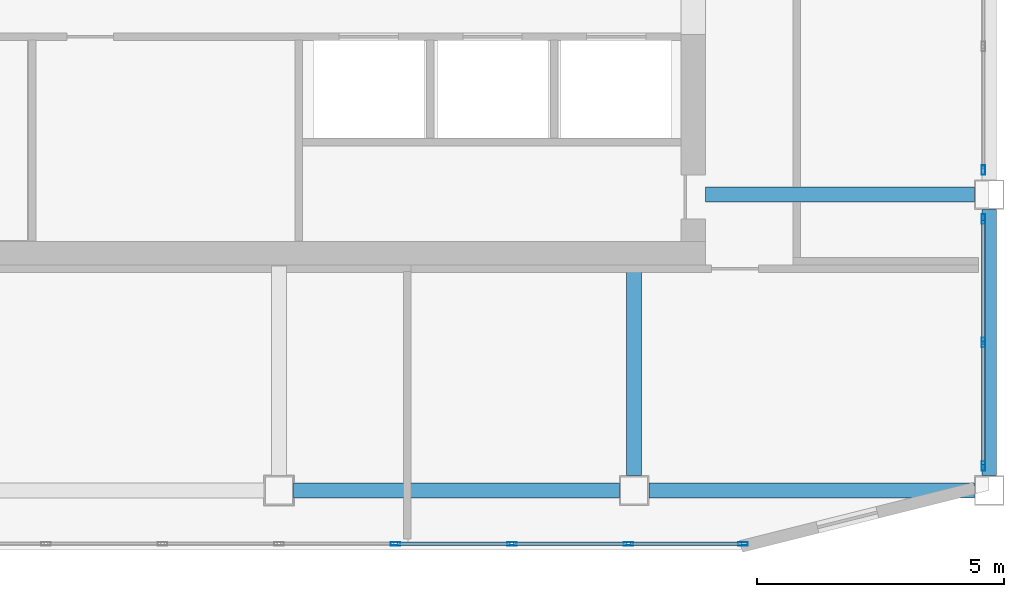
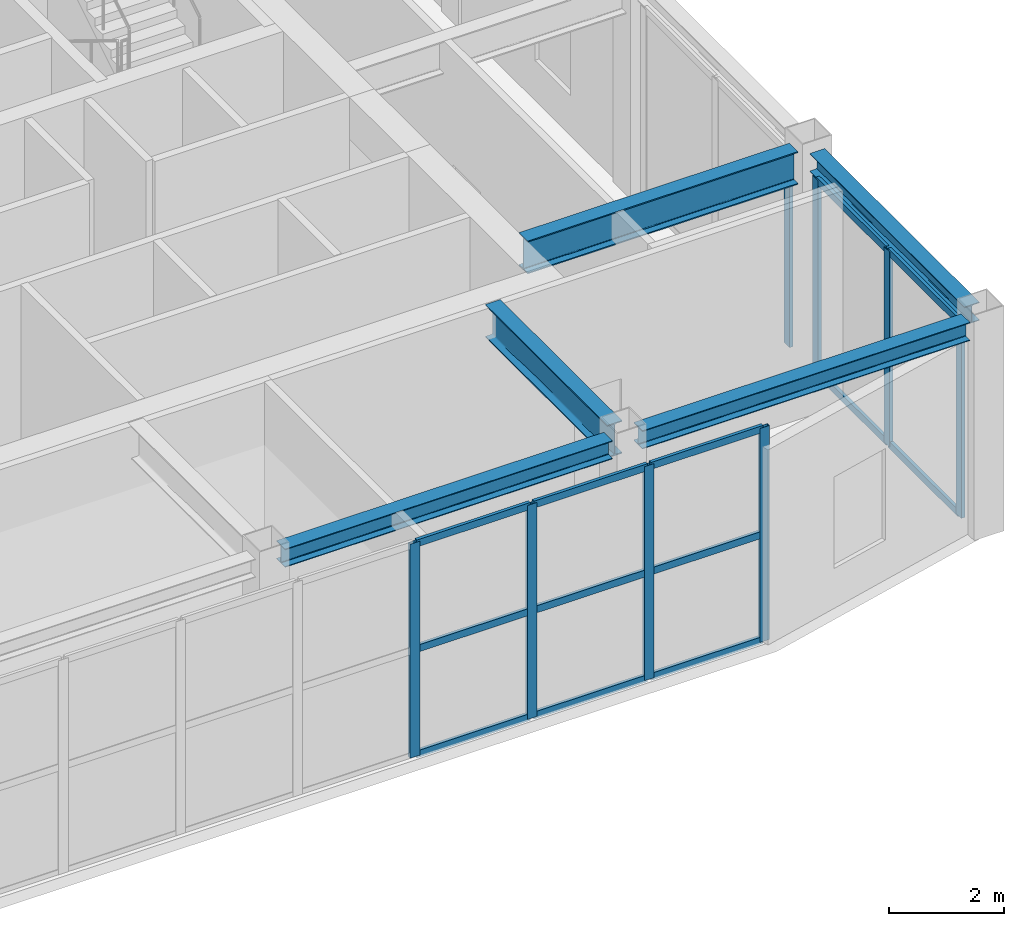
# One storey, part 4 of 11: 21 members, 5 beams, 3 elements without a shape of their own.
"""IFC4 building model written with IfcOpenShell, lengths in metres."""

import ifcopenshell
import ifcopenshell.guid

model = None  # the IFC model being written
_history = None  # IfcOwnerHistory: only IFC2X3 demands one
_inside = {}  # id of a spatial element -> (the spatial element, [elements in it])
_under = {}  # id of a project, library or spatial element -> (it, [spatial elements below it])
_declared = {}  # id of a project -> (the project, [libraries it declares])
_typed = {}  # id of a type object -> (the type object, [elements of that type])
_made_of = {}  # id of a material, layer set ... -> (it, [elements and type objects made of it])


def new_model(schema):
    """Start an empty IFC model of exactly this schema.

    Asked for "IFC4X3", IfcOpenShell would pick the latest addendum, in which some entities
    have other attributes; the version numbers below select the first issue.
    IFC2X3 requires an IfcOwnerHistory on every rooted entity: one is made here for all.
    """
    global model, _history
    if schema == "IFC4X3":
        model = ifcopenshell.file(schema_version=(4, 3, 0, 0))
    else:
        model = ifcopenshell.file(schema=schema)
    _inside.clear()
    _under.clear()
    _declared.clear()
    _typed.clear()
    _made_of.clear()
    _history = None
    if model.schema == "IFC2X3":
        org = make("IfcOrganization", Name="unknown")
        user = make(
            "IfcPersonAndOrganization",
            ThePerson=make("IfcPerson", FamilyName="unknown"),
            TheOrganization=org,
        )
        app = make(
            "IfcApplication",
            ApplicationDeveloper=org,
            Version="unknown",
            ApplicationFullName="unknown",
            ApplicationIdentifier="unknown",
        )
        _history = make(
            "IfcOwnerHistory",
            OwningUser=user,
            OwningApplication=app,
            ChangeAction="ADDED",
            CreationDate=0,
        )
    return model


def make(cls, **values):
    """One entity of the class cls with the attributes given. An attribute that is None is left unset."""
    return model.create_entity(
        cls, **{name: value for name, value in values.items() if value is not None}
    )


def rooted(cls, **values):
    """An entity with a GlobalId (a new one), such as an element, a storey or a relation."""
    return make(cls, GlobalId=ifcopenshell.guid.new(), OwnerHistory=_history, **values)


def si_unit(unit_type, name, prefix=None):
    """IfcSIUnit, for example si_unit("LENGTHUNIT", "METRE", prefix="MILLI")."""
    return make("IfcSIUnit", UnitType=unit_type, Prefix=prefix, Name=name)


def assignment(units):
    """IfcUnitAssignment: the units of a project."""
    return None if units is None else make("IfcUnitAssignment", Units=units)


def point(xyz):
    """IfcCartesianPoint."""
    return None if xyz is None else make("IfcCartesianPoint", Coordinates=xyz)


def direction(xyz):
    """IfcDirection."""
    return None if xyz is None else make("IfcDirection", DirectionRatios=xyz)


def frame(location, z_axis=None, x_axis=None):
    """IfcAxis2Placement3D, a coordinate frame: its origin and axes. An axis left out is left unset."""
    return make(
        "IfcAxis2Placement3D",
        Location=point(location),
        Axis=direction(z_axis),
        RefDirection=direction(x_axis),
    )


def frame_2d(location, x_axis=None):
    """IfcAxis2Placement2D, a coordinate frame in the plane: its origin and x axis."""
    return make(
        "IfcAxis2Placement2D", Location=point(location), RefDirection=direction(x_axis)
    )


def origin():
    """The frame at (0, 0, 0) with its axes left unset."""
    return frame((0.0, 0.0, 0.0))


def origin_2d():
    """The frame at (0, 0) in the plane with its x axis left unset."""
    return frame_2d((0.0, 0.0))


def place(relative_to, where):
    """IfcLocalPlacement: puts the frame where relative to a parent placement (None: the world)."""
    return make(
        "IfcLocalPlacement", PlacementRelTo=relative_to, RelativePlacement=where
    )


def context(
    kind, dimensions, precision=None, world=None, true_north=None, identifier=None
):
    """IfcGeometricRepresentationContext, for example the 3D "Model" context."""
    return make(
        "IfcGeometricRepresentationContext",
        ContextIdentifier=identifier,
        ContextType=kind,
        CoordinateSpaceDimension=dimensions,
        Precision=precision,
        WorldCoordinateSystem=world,
        TrueNorth=true_north,
    )


def subcontext(parent, identifier, kind, view, scale=None):
    """IfcGeometricRepresentationSubContext, for example "Body" below "Model"."""
    return make(
        "IfcGeometricRepresentationSubContext",
        ContextIdentifier=identifier,
        ContextType=kind,
        ParentContext=parent,
        TargetScale=scale,
        TargetView=view,
    )


def project(units=None, contexts=None):
    """IfcProject with its units and contexts."""
    return rooted(
        "IfcProject",
        Name="project",
        RepresentationContexts=contexts,
        UnitsInContext=assignment(units),
    )


def spatial(cls, under=None, at=None, **own):
    """A site, building, storey or space (cls), placed at a placement, below another one or the project."""
    s = rooted(cls, ObjectPlacement=at, **own)
    if under is not None:
        _under.setdefault(under.id(), (under, []))[1].append(s)
    return s


def profile(cls, at=None, kind="AREA", **sizes):
    """A parametric profile (cls). Its sizes go by their IFC names, for example OverallWidth=200.0."""
    return make(cls, ProfileType=kind, Position=at, **sizes)


def hollow_rectangle(**sizes):
    """IfcRectangleHollowProfileDef."""
    return profile("IfcRectangleHollowProfileDef", **sizes)


def i_section(**sizes):
    """IfcIShapeProfileDef."""
    return profile("IfcIShapeProfileDef", **sizes)


def extrude(swept, where, along, depth):
    """IfcExtrudedAreaSolid: the profile swept, set in the frame where, extruded along a direction by depth."""
    return make(
        "IfcExtrudedAreaSolid",
        SweptArea=swept,
        Position=where,
        ExtrudedDirection=direction(along),
        Depth=depth,
    )


def shape(context_of_items, identifier, shape_type, items):
    """IfcShapeRepresentation: the items that make up one representation, for example the "Body"."""
    return make(
        "IfcShapeRepresentation",
        ContextOfItems=context_of_items,
        RepresentationIdentifier=identifier,
        RepresentationType=shape_type,
        Items=items,
    )


def material(Name=None, Category=None):
    """IfcMaterial."""
    return make("IfcMaterial", Name=Name, Category=Category)


def layer(
    of_material, thickness, ventilated=None, Name=None, Category=None, Priority=None
):
    """IfcMaterialLayer: one layer of a wall or slab, of a material (None: an air gap)."""
    return make(
        "IfcMaterialLayer",
        Material=of_material,
        LayerThickness=thickness,
        IsVentilated=ventilated,
        Name=Name,
        Category=Category,
        Priority=Priority,
    )


def layer_set(layers, Name=None):
    """IfcMaterialLayerSet."""
    return make("IfcMaterialLayerSet", MaterialLayers=layers, LayerSetName=Name)


def material_profile(
    of_material, cross_section, Name=None, Category=None, Priority=None
):
    """IfcMaterialProfile: a cross section and its material."""
    return make(
        "IfcMaterialProfile",
        Name=Name,
        Material=of_material,
        Profile=cross_section,
        Priority=Priority,
        Category=Category,
    )


def profile_set(profiles, Name=None, composite=None):
    """IfcMaterialProfileSet."""
    return make(
        "IfcMaterialProfileSet",
        Name=Name,
        MaterialProfiles=profiles,
        CompositeProfile=composite,
    )


def made_of(thing, what):
    """Note that an element or type object is made of a material, layer set ...; save() writes the relation."""
    if what is not None:
        _made_of.setdefault(what.id(), (what, []))[1].append(thing)
    return thing


def type_object(cls, material=None, **own):
    """A type object (cls), such as IfcWallType, which elements share."""
    return made_of(rooted(cls, **own), material)


def element(
    cls,
    number,
    at=None,
    inside=None,
    cuts=None,
    type_object=None,
    material=None,
    context=None,
    identifier="Body",
    shape_type=None,
    held_by="IfcProductDefinitionShape",
    body=None,
    shapes=None,
    **own,
):
    """One element of the class cls, such as IfcWall. Its Tag is "e" and its number.

    at: its placement. inside: the storey or other place that contains it. cuts: it is an
    opening in that element (IfcRelVoidsElement). A single representation is given by context,
    identifier, shape_type and body (its items); several are given by shapes. held_by: the class
    of the entity that holds the representations. save() writes the other relations.
    """
    e = rooted(cls, Tag="e%d" % number, ObjectPlacement=at, **own)
    if body is not None:
        shapes = [shape(context, identifier, shape_type, body)]
    if shapes is not None:
        e.Representation = make(held_by, Representations=shapes)
    if inside is not None:
        _inside.setdefault(inside.id(), (inside, []))[1].append(e)
    if cuts is not None:
        rooted(
            "IfcRelVoidsElement", RelatingBuildingElement=cuts, RelatedOpeningElement=e
        )
    if type_object is not None:
        _typed.setdefault(type_object.id(), (type_object, []))[1].append(e)
    return made_of(e, material)


def aggregate(whole, parts):
    """IfcRelAggregates: a whole, such as a stair, and the parts it consists of."""
    return rooted("IfcRelAggregates", RelatingObject=whole, RelatedObjects=parts)


def save(model, path):
    """Write the relations noted so far, then the file.

    IfcRelAggregates (storeys below a building ...), IfcRelContainedInSpatialStructure (elements
    in a storey), IfcRelDefinesByType, IfcRelAssociatesMaterial and IfcRelDeclares: one each for
    every whole, place, type object, material and project.
    """
    for whole, parts in _under.values():
        aggregate(whole, parts)
    for where, things in _inside.values():
        rooted(
            "IfcRelContainedInSpatialStructure",
            RelatedElements=things,
            RelatingStructure=where,
        )
    for kind, things in _typed.values():
        rooted("IfcRelDefinesByType", RelatedObjects=things, RelatingType=kind)
    for what, things in _made_of.values():
        rooted("IfcRelAssociatesMaterial", RelatedObjects=things, RelatingMaterial=what)
    for by, libraries in _declared.values():
        rooted("IfcRelDeclares", RelatingContext=by, RelatedDefinitions=libraries)
    model.write(path)


model = new_model("IFC4")

# Units and contexts
model_context = context("Model", 3, precision=1e-05, world=origin(), true_north=direction((0.0, 1.0)))
body_context = subcontext(model_context, "Body", "Model", "MODEL_VIEW")
ifc_project = project(units=[si_unit("LENGTHUNIT", "METRE"), si_unit("AREAUNIT", "SQUARE_METRE"), si_unit("VOLUMEUNIT", "CUBIC_METRE"), si_unit("PLANEANGLEUNIT", "RADIAN"), si_unit("MASSUNIT", "GRAM", prefix="KILO")], contexts=[model_context])

# Site, building, storey
site_placement = place(None, origin())
site = spatial("IfcSite", under=ifc_project, at=site_placement, CompositionType="ELEMENT")
building_placement = place(site_placement, origin())
building = spatial("IfcBuilding", under=site, at=building_placement, Name="Haolan Belvedere Tower", CompositionType="ELEMENT")
storey_placement = place(building_placement, frame((0.0, 0.0, 313.39990234375)))
storey = spatial("IfcBuildingStorey", under=building, at=storey_placement, Name="L79", CompositionType="ELEMENT", Elevation=313.39990234375)

# Beams
ifc_material_1 = material(Name="Steel Q355B", Category="steel")
ifc_material_profile_1 = material_profile(ifc_material_1, i_section(OverallWidth=0.300048828125, OverallDepth=0.389892578125, WebThickness=0.010009765625, FlangeThickness=0.01611328125, FilletRadius=0.02197265625, at=origin_2d()), Name="Steel Q355B")
ifc_profile_set_1 = profile_set([ifc_material_profile_1], Name="Steel Q355B")
beam_type_1 = type_object("IfcBeamType", Name="BM-HM390x300x10x16", PredefinedType="SPANDREL", material=ifc_profile_set_1)
beam_1_placement = place(storey_placement, frame((52.800048828125, 21.89990234375, 4.364990234375), z_axis=(0.0, 1.0, 0.0), x_axis=(-1.0, 0.0, 0.0)))
element("IfcBeam", 1, at=beam_1_placement, inside=storey, type_object=beam_type_1, Name="L79 spandrel girder MC-T3-SE-TC-T3-E1", PredefinedType="SPANDREL", context=body_context, shape_type="SweptSolid", body=[
    extrude(i_section(OverallWidth=0.300048828125, OverallDepth=0.389892578125, WebThickness=0.010009765625, FlangeThickness=0.01611328125, FilletRadius=0.02197265625, at=origin_2d()), origin(), (0.0, 0.0, 1.0), 5.400146484375),
])
for number, where, z_axis, x_axis, name in (
    (2, (38.699951171875, 21.60009765625, 4.364990234375), (1.0, 0.0, 0.0), (0.0, 1.0, 0.0), "L79 spandrel girder TC-T3-SM-MC-T3-S2"),
    (3, (45.89990234375, 21.60009765625, 4.364990234375), (1.0, 0.0, 0.0), (0.0, 1.0, 0.0), "L79 spandrel girder MC-T3-S2-MC-T3-SE"),
):
    element("IfcBeam", number, at=place(storey_placement, frame(where, z_axis=z_axis, x_axis=x_axis)), inside=storey, type_object=beam_type_1, Name=name, PredefinedType="SPANDREL", context=body_context, shape_type="SweptSolid", body=[
        extrude(i_section(OverallWidth=0.300048828125, OverallDepth=0.389892578125, WebThickness=0.010009765625, FlangeThickness=0.01611328125, FilletRadius=0.02197265625, at=origin_2d()), origin(), (0.0, 0.0, 1.0), 6.60009765625),
    ])
ifc_material_profile_2 = material_profile(ifc_material_1, i_section(OverallWidth=0.300048828125, OverallDepth=0.699951171875, WebThickness=0.012939453125, FlangeThickness=0.02392578125, FilletRadius=0.02587890625, at=origin_2d()), Name="Steel Q355B")
ifc_profile_set_2 = profile_set([ifc_material_profile_2], Name="Steel Q355B")
beam_type_2 = type_object("IfcBeamType", Name="BM-HN700x300x13x24", PredefinedType="BEAM", material=ifc_profile_set_2)
beam_2_placement = place(storey_placement, frame((52.5, 27.60009765625, 4.210205078125), z_axis=(-1.0, 0.0, 0.0), x_axis=(0.0, -1.0, 0.0)))
element("IfcBeam", 4, at=beam_2_placement, inside=storey, type_object=beam_type_2, Name="L79 core tie beam from TC-T3-E1", PredefinedType="BEAM", context=body_context, shape_type="SweptSolid", body=[
    extrude(i_section(OverallWidth=0.300048828125, OverallDepth=0.699951171875, WebThickness=0.012939453125, FlangeThickness=0.02392578125, FilletRadius=0.02587890625, at=origin_2d()), origin(), (0.0, 0.0, 1.0), 5.449951171875),
])
beam_3_placement = place(storey_placement, frame((45.60009765625, 21.89990234375, 4.210205078125), z_axis=(0.0, 1.0, 0.0), x_axis=(-1.0, 0.0, 0.0)))
element("IfcBeam", 5, at=beam_3_placement, inside=storey, type_object=beam_type_2, Name="L79 core tie beam from MC-T3-S2", PredefinedType="BEAM", context=body_context, shape_type="SweptSolid", body=[
    extrude(i_section(OverallWidth=0.300048828125, OverallDepth=0.699951171875, WebThickness=0.012939453125, FlangeThickness=0.02392578125, FilletRadius=0.02587890625, at=origin_2d()), origin(), (0.0, 0.0, 1.0), 4.25),
])

# Curtain wall, members
ifc_material_2 = material(Name="Anodised champagne-silver aluminium 6063-T6 and Low-E glass", Category="aluminium")
ifc_layer = layer(ifc_material_2, 0.195068359375, Name="Anodised champagne-silver aluminium 6063-T6 and Low-E glass")
ifc_layer_set = layer_set([ifc_layer], Name="Anodised champagne-silver aluminium 6063-T6 and Low-E glass")
curtain_wall_type = type_object("IfcCurtainWallType", Name="CW-SYS-06", PredefinedType="NOTDEFINED", material=ifc_layer_set)
curtain_wall_1_placement = place(storey_placement, origin())
curtain_wall_1 = element("IfcCurtainWall", 6, at=curtain_wall_1_placement, inside=storey, type_object=curtain_wall_type, Name="L79 CW-SYS-06 ribbon curtain wall 1.1", PredefinedType="NOTDEFINED")
ifc_material_3 = material(Name="Anodised aluminium 6063-T6", Category="aluminium")
ifc_material_profile_3 = material_profile(ifc_material_3, hollow_rectangle(XDim=0.070068359375, YDim=0.195068359375, WallThickness=0.00390625, at=origin_2d()), Name="Anodised aluminium 6063-T6")
ifc_profile_set_3 = profile_set([ifc_material_profile_3], Name="Anodised aluminium 6063-T6")
member_type_1 = type_object("IfcMemberType", Name="CW-SYS-06-MUL", PredefinedType="MULLION", material=ifc_profile_set_3)
member_1_placement = place(storey_placement, frame((40.76123046875, 20.52001953125, 0.0), z_axis=(0.0, 0.0, 1.0), x_axis=(0.0, 1.0, 0.0)))
member_1 = element("IfcMember", 7, at=member_1_placement, type_object=member_type_1, Name="CW-06 mullion 6", PredefinedType="MULLION", context=body_context, shape_type="SweptSolid", body=[
    extrude(hollow_rectangle(XDim=0.070068359375, YDim=0.195068359375, WallThickness=0.00390625, at=origin_2d()), origin(), (0.0, 0.0, 1.0), 4.56005859375),
])
member_2_placement = place(storey_placement, frame((43.12255859375, 20.52001953125, 0.0), z_axis=(0.0, 0.0, 1.0), x_axis=(0.0, 1.0, 0.0)))
member_2 = element("IfcMember", 8, at=member_2_placement, type_object=member_type_1, Name="CW-06 mullion 7", PredefinedType="MULLION", context=body_context, shape_type="SweptSolid", body=[
    extrude(hollow_rectangle(XDim=0.070068359375, YDim=0.195068359375, WallThickness=0.00390625, at=origin_2d()), origin(), (0.0, 0.0, 1.0), 4.56005859375),
])
member_3_placement = place(storey_placement, frame((45.48388671875, 20.52001953125, 0.0), z_axis=(0.0, 0.0, 1.0), x_axis=(0.0, 1.0, 0.0)))
member_3 = element("IfcMember", 9, at=member_3_placement, type_object=member_type_1, Name="CW-06 mullion 8", PredefinedType="MULLION", context=body_context, shape_type="SweptSolid", body=[
    extrude(hollow_rectangle(XDim=0.070068359375, YDim=0.195068359375, WallThickness=0.00390625, at=origin_2d()), origin(), (0.0, 0.0, 1.0), 4.56005859375),
])
member_4_placement = place(storey_placement, frame((47.810302734375, 20.52001953125, 0.0), z_axis=(0.0, 0.0, 1.0), x_axis=(0.0, 1.0, 0.0)))
member_4 = element("IfcMember", 10, at=member_4_placement, type_object=member_type_1, Name="CW-06 mullion 9", PredefinedType="MULLION", context=body_context, shape_type="SweptSolid", body=[
    extrude(hollow_rectangle(XDim=0.070068359375, YDim=0.195068359375, WallThickness=0.00390625, at=origin_2d()), origin(), (0.0, 0.0, 1.0), 4.56005859375),
])

curtain_wall_2_placement = place(storey_placement, origin())
curtain_wall_2 = element("IfcCurtainWall", 11, at=curtain_wall_2_placement, inside=storey, type_object=curtain_wall_type, Name="L79 CW-SYS-06 ribbon curtain wall 3.1", PredefinedType="NOTDEFINED")
member_5_placement = place(storey_placement, frame((52.679931640625, 22.094970703125, 0.0), z_axis=(0.0, 0.0, 1.0), x_axis=(-1.0, 0.0, 0.0)))
member_5 = element("IfcMember", 12, at=member_5_placement, type_object=member_type_1, Name="CW-06 mullion 1", PredefinedType="MULLION", context=body_context, shape_type="SweptSolid", body=[
    extrude(hollow_rectangle(XDim=0.070068359375, YDim=0.195068359375, WallThickness=0.00390625, at=origin_2d()), origin(), (0.0, 0.0, 1.0), 4.155029296875),
])
member_6_placement = place(storey_placement, frame((52.679931640625, 24.60009765625, 0.0), z_axis=(0.0, 0.0, 1.0), x_axis=(-1.0, 0.0, 0.0)))
member_6 = element("IfcMember", 13, at=member_6_placement, type_object=member_type_1, Name="CW-06 mullion 2", PredefinedType="MULLION", context=body_context, shape_type="SweptSolid", body=[
    extrude(hollow_rectangle(XDim=0.070068359375, YDim=0.195068359375, WallThickness=0.00390625, at=origin_2d()), origin(), (0.0, 0.0, 1.0), 4.155029296875),
])
member_7_placement = place(storey_placement, frame((52.679931640625, 27.10498046875, 0.0), z_axis=(0.0, 0.0, 1.0), x_axis=(-1.0, 0.0, 0.0)))
member_7 = element("IfcMember", 14, at=member_7_placement, type_object=member_type_1, Name="CW-06 mullion 3", PredefinedType="MULLION", context=body_context, shape_type="SweptSolid", body=[
    extrude(hollow_rectangle(XDim=0.070068359375, YDim=0.195068359375, WallThickness=0.00390625, at=origin_2d()), origin(), (0.0, 0.0, 1.0), 4.155029296875),
])

# Curtain wall, member
curtain_wall_3_placement = place(storey_placement, origin())
curtain_wall_3 = element("IfcCurtainWall", 15, at=curtain_wall_3_placement, inside=storey, type_object=curtain_wall_type, Name="L79 CW-SYS-06 ribbon curtain wall 3.2", PredefinedType="NOTDEFINED")
member_8_placement = place(storey_placement, frame((52.679931640625, 28.094970703125, 0.0), z_axis=(0.0, 0.0, 1.0), x_axis=(-1.0, 0.0, 0.0)))
member_8 = element("IfcMember", 16, at=member_8_placement, type_object=member_type_1, Name="CW-06 mullion 1", PredefinedType="MULLION", context=body_context, shape_type="SweptSolid", body=[
    extrude(hollow_rectangle(XDim=0.070068359375, YDim=0.195068359375, WallThickness=0.00390625, at=origin_2d()), origin(), (0.0, 0.0, 1.0), 4.155029296875),
])
aggregate(curtain_wall_3, [member_8])

# Member
ifc_material_profile_4 = material_profile(ifc_material_3, hollow_rectangle(XDim=0.06494140625, YDim=0.14990234375, WallThickness=0.00390625, at=origin_2d()), Name="Anodised aluminium 6063-T6")
ifc_profile_set_4 = profile_set([ifc_material_profile_4], Name="Anodised aluminium 6063-T6")
member_type_2 = type_object("IfcMemberType", Name="CW-SYS-06-TRN", PredefinedType="USERDEFINED", material=ifc_profile_set_4)
member_9_placement = place(storey_placement, frame((40.79638671875, 20.52001953125, 0.03271484375), z_axis=(1.0, 0.0, 0.0), x_axis=(0.0, 1.0, 0.0)))
member_9 = element("IfcMember", 17, at=member_9_placement, type_object=member_type_2, Name="CW-06 transom 6.1", ObjectType="TRANSOM", PredefinedType="USERDEFINED", context=body_context, shape_type="SweptSolid", body=[
    extrude(hollow_rectangle(XDim=0.06494140625, YDim=0.14990234375, WallThickness=0.00390625, at=origin_2d()), origin(), (0.0, 0.0, 1.0), 2.291259765625),
])

member_10_placement = place(storey_placement, frame((40.79638671875, 20.52001953125, 2.280029296875), z_axis=(1.0, 0.0, 0.0), x_axis=(0.0, 1.0, 0.0)))
member_10 = element("IfcMember", 18, at=member_10_placement, type_object=member_type_2, Name="CW-06 transom 6.2", ObjectType="TRANSOM", PredefinedType="USERDEFINED", context=body_context, shape_type="SweptSolid", body=[
    extrude(hollow_rectangle(XDim=0.06494140625, YDim=0.14990234375, WallThickness=0.00390625, at=origin_2d()), origin(), (0.0, 0.0, 1.0), 2.291259765625),
])

member_11_placement = place(storey_placement, frame((40.79638671875, 20.52001953125, 4.527587890625), z_axis=(1.0, 0.0, 0.0), x_axis=(0.0, 1.0, 0.0)))
member_11 = element("IfcMember", 19, at=member_11_placement, type_object=member_type_2, Name="CW-06 transom 6.3", ObjectType="TRANSOM", PredefinedType="USERDEFINED", context=body_context, shape_type="SweptSolid", body=[
    extrude(hollow_rectangle(XDim=0.06494140625, YDim=0.14990234375, WallThickness=0.00390625, at=origin_2d()), origin(), (0.0, 0.0, 1.0), 2.291259765625),
])

member_12_placement = place(storey_placement, frame((43.15771484375, 20.52001953125, 0.03271484375), z_axis=(1.0, 0.0, 0.0), x_axis=(0.0, 1.0, 0.0)))
member_12 = element("IfcMember", 20, at=member_12_placement, type_object=member_type_2, Name="CW-06 transom 7.1", ObjectType="TRANSOM", PredefinedType="USERDEFINED", context=body_context, shape_type="SweptSolid", body=[
    extrude(hollow_rectangle(XDim=0.06494140625, YDim=0.14990234375, WallThickness=0.00390625, at=origin_2d()), origin(), (0.0, 0.0, 1.0), 2.291259765625),
])

member_13_placement = place(storey_placement, frame((43.15771484375, 20.52001953125, 2.280029296875), z_axis=(1.0, 0.0, 0.0), x_axis=(0.0, 1.0, 0.0)))
member_13 = element("IfcMember", 21, at=member_13_placement, type_object=member_type_2, Name="CW-06 transom 7.2", ObjectType="TRANSOM", PredefinedType="USERDEFINED", context=body_context, shape_type="SweptSolid", body=[
    extrude(hollow_rectangle(XDim=0.06494140625, YDim=0.14990234375, WallThickness=0.00390625, at=origin_2d()), origin(), (0.0, 0.0, 1.0), 2.291259765625),
])

member_14_placement = place(storey_placement, frame((43.15771484375, 20.52001953125, 4.527587890625), z_axis=(1.0, 0.0, 0.0), x_axis=(0.0, 1.0, 0.0)))
member_14 = element("IfcMember", 22, at=member_14_placement, type_object=member_type_2, Name="CW-06 transom 7.3", ObjectType="TRANSOM", PredefinedType="USERDEFINED", context=body_context, shape_type="SweptSolid", body=[
    extrude(hollow_rectangle(XDim=0.06494140625, YDim=0.14990234375, WallThickness=0.00390625, at=origin_2d()), origin(), (0.0, 0.0, 1.0), 2.291259765625),
])

member_15_placement = place(storey_placement, frame((45.518798828125, 20.52001953125, 0.03271484375), z_axis=(1.0, 0.0, 0.0), x_axis=(0.0, 1.0, 0.0)))
member_15 = element("IfcMember", 23, at=member_15_placement, type_object=member_type_2, Name="CW-06 transom 8.1", ObjectType="TRANSOM", PredefinedType="USERDEFINED", context=body_context, shape_type="SweptSolid", body=[
    extrude(hollow_rectangle(XDim=0.06494140625, YDim=0.14990234375, WallThickness=0.00390625, at=origin_2d()), origin(), (0.0, 0.0, 1.0), 2.25634765625),
])

member_16_placement = place(storey_placement, frame((45.518798828125, 20.52001953125, 2.280029296875), z_axis=(1.0, 0.0, 0.0), x_axis=(0.0, 1.0, 0.0)))
member_16 = element("IfcMember", 24, at=member_16_placement, type_object=member_type_2, Name="CW-06 transom 8.2", ObjectType="TRANSOM", PredefinedType="USERDEFINED", context=body_context, shape_type="SweptSolid", body=[
    extrude(hollow_rectangle(XDim=0.06494140625, YDim=0.14990234375, WallThickness=0.00390625, at=origin_2d()), origin(), (0.0, 0.0, 1.0), 2.25634765625),
])

member_17_placement = place(storey_placement, frame((45.518798828125, 20.52001953125, 4.527587890625), z_axis=(1.0, 0.0, 0.0), x_axis=(0.0, 1.0, 0.0)))
member_17 = element("IfcMember", 25, at=member_17_placement, type_object=member_type_2, Name="CW-06 transom 8.3", ObjectType="TRANSOM", PredefinedType="USERDEFINED", context=body_context, shape_type="SweptSolid", body=[
    extrude(hollow_rectangle(XDim=0.06494140625, YDim=0.14990234375, WallThickness=0.00390625, at=origin_2d()), origin(), (0.0, 0.0, 1.0), 2.25634765625),
])

aggregate(curtain_wall_1, [member_1, member_2, member_3, member_4, member_9, member_10, member_11, member_12, member_13, member_14, member_15, member_16, member_17])

member_18_placement = place(storey_placement, frame((52.679931640625, 22.1298828125, 0.03271484375), z_axis=(0.0, 1.0, 0.0), x_axis=(-1.0, 0.0, 0.0)))
member_18 = element("IfcMember", 26, at=member_18_placement, type_object=member_type_2, Name="CW-06 transom 1.1", ObjectType="TRANSOM", PredefinedType="USERDEFINED", context=body_context, shape_type="SweptSolid", body=[
    extrude(hollow_rectangle(XDim=0.06494140625, YDim=0.14990234375, WallThickness=0.00390625, at=origin_2d()), origin(), (0.0, 0.0, 1.0), 2.43505859375),
])

member_19_placement = place(storey_placement, frame((52.679931640625, 22.1298828125, 4.12255859375), z_axis=(0.0, 1.0, 0.0), x_axis=(-1.0, 0.0, 0.0)))
member_19 = element("IfcMember", 27, at=member_19_placement, type_object=member_type_2, Name="CW-06 transom 1.2", ObjectType="TRANSOM", PredefinedType="USERDEFINED", context=body_context, shape_type="SweptSolid", body=[
    extrude(hollow_rectangle(XDim=0.06494140625, YDim=0.14990234375, WallThickness=0.00390625, at=origin_2d()), origin(), (0.0, 0.0, 1.0), 2.43505859375),
])

member_20_placement = place(storey_placement, frame((52.679931640625, 24.635009765625, 0.03271484375), z_axis=(0.0, 1.0, 0.0), x_axis=(-1.0, 0.0, 0.0)))
member_20 = element("IfcMember", 28, at=member_20_placement, type_object=member_type_2, Name="CW-06 transom 2.1", ObjectType="TRANSOM", PredefinedType="USERDEFINED", context=body_context, shape_type="SweptSolid", body=[
    extrude(hollow_rectangle(XDim=0.06494140625, YDim=0.14990234375, WallThickness=0.00390625, at=origin_2d()), origin(), (0.0, 0.0, 1.0), 2.43505859375),
])

member_21_placement = place(storey_placement, frame((52.679931640625, 24.635009765625, 4.12255859375), z_axis=(0.0, 1.0, 0.0), x_axis=(-1.0, 0.0, 0.0)))
member_21 = element("IfcMember", 29, at=member_21_placement, type_object=member_type_2, Name="CW-06 transom 2.2", ObjectType="TRANSOM", PredefinedType="USERDEFINED", context=body_context, shape_type="SweptSolid", body=[
    extrude(hollow_rectangle(XDim=0.06494140625, YDim=0.14990234375, WallThickness=0.00390625, at=origin_2d()), origin(), (0.0, 0.0, 1.0), 2.43505859375),
])

aggregate(curtain_wall_2, [member_5, member_6, member_7, member_18, member_19, member_20, member_21])

save(model, "model.ifc")
